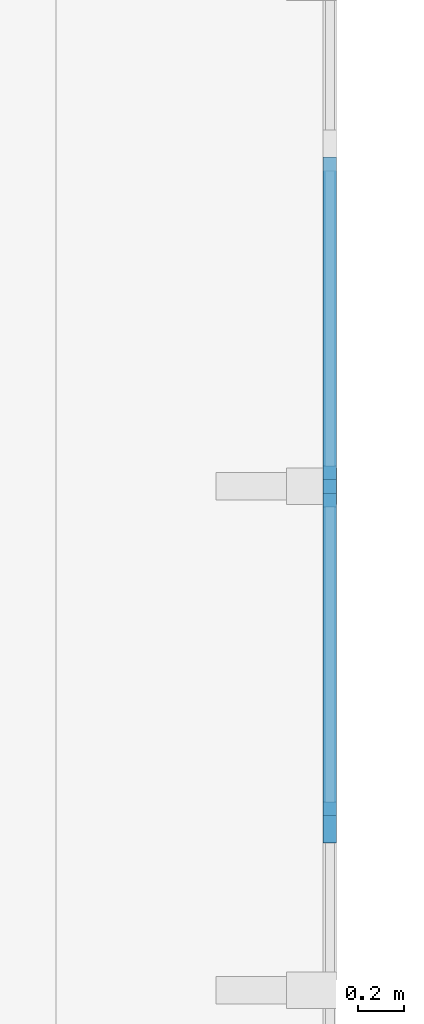
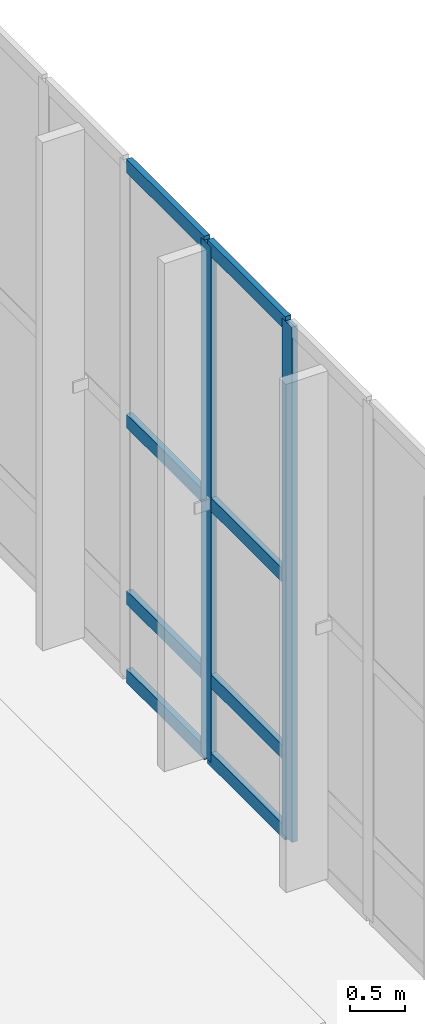
# One storey, part 52 of 110: 10 members, 1 element without a shape of its own.
"""IFC4 building model written with IfcOpenShell, lengths in metres."""

from ifc_helpers import new_model, si_unit, direction, frame, origin, origin_2d, place, context, subcontext, project, spatial, rectangle, extrude, material, material_profile, profile_set, type_object, element, aggregate, save


model = new_model("IFC4")

# Units and contexts
model_context = context("Model", 3, precision=1e-05, world=origin(), true_north=direction((0.0, 1.0)))
body_context = subcontext(model_context, "Body", "Model", "MODEL_VIEW")
ifc_project = project(units=[si_unit("LENGTHUNIT", "METRE"), si_unit("AREAUNIT", "SQUARE_METRE"), si_unit("VOLUMEUNIT", "CUBIC_METRE"), si_unit("PLANEANGLEUNIT", "RADIAN"), si_unit("MASSUNIT", "GRAM", prefix="KILO")], contexts=[model_context])

# Site, building, storey
site_placement = place(None, origin())
site = spatial("IfcSite", under=ifc_project, at=site_placement, CompositionType="ELEMENT")
building_placement = place(site_placement, origin())
building = spatial("IfcBuilding", under=site, at=building_placement, Name="Tizgana Railside Sports Hall", CompositionType="ELEMENT")
storey_placement = place(building_placement, origin())
storey = spatial("IfcBuildingStorey", under=building, at=storey_placement, Name="L00", CompositionType="ELEMENT", Elevation=0.0)

# Curtain wall, members
ifc_material_1 = material(Name="Anodised aluminium and glass", Category="aluminium")
curtain_wall_type = type_object("IfcCurtainWallType", Name="Unitised Curtain Wall WestHall 1560", PredefinedType="NOTDEFINED", material=ifc_material_1)
curtain_wall_placement = place(storey_placement, origin())
curtain_wall = element("IfcCurtainWall", 1, at=curtain_wall_placement, inside=storey, type_object=curtain_wall_type, Name="L00 Curtain Wall CW-0062", PredefinedType="NOTDEFINED")
ifc_material_2 = material(Name="Anodised aluminium", Category="aluminium")
ifc_material_profile_1 = material_profile(ifc_material_2, rectangle(XDim=0.06005859375, YDim=0.179931640625, at=origin_2d()), Name="Mullion 60x180")
ifc_profile_set_1 = profile_set([ifc_material_profile_1], Name="Anodised aluminium")
member_type_1 = type_object("IfcMemberType", Name="Mullion 60x180", PredefinedType="MULLION", material=ifc_profile_set_1)
member_1_placement = place(storey_placement, frame((172.199951171875, 92.126708984375, 0.044921875), z_axis=(0.0, 0.0, 1.0), x_axis=(-1.0, 0.0, 0.0)))
member_1 = element("IfcMember", 2, at=member_1_placement, type_object=member_type_1, Name="CW-07 mullion 3", PredefinedType="MULLION", context=body_context, shape_type="SweptSolid", body=[
    extrude(rectangle(XDim=0.06005859375, YDim=0.179931640625, at=origin_2d()), origin(), (0.0, 0.0, 1.0), 5.715087890625),
])
member_2_placement = place(storey_placement, frame((172.199951171875, 93.60009765625, 0.044921875), z_axis=(0.0, 0.0, 1.0), x_axis=(-1.0, 0.0, 0.0)))
member_2 = element("IfcMember", 3, at=member_2_placement, type_object=member_type_1, Name="CW-07 mullion 4", PredefinedType="MULLION", context=body_context, shape_type="SweptSolid", body=[
    extrude(rectangle(XDim=0.06005859375, YDim=0.179931640625, at=origin_2d()), origin(), (0.0, 0.0, 1.0), 5.715087890625),
])
ifc_material_profile_2 = material_profile(ifc_material_2, rectangle(XDim=0.06005859375, YDim=0.14990234375, at=origin_2d()), Name="Transom 60x150")
ifc_profile_set_2 = profile_set([ifc_material_profile_2], Name="Anodised aluminium")
member_type_2 = type_object("IfcMemberType", Name="Transom 60x150", PredefinedType="USERDEFINED", material=ifc_profile_set_2)
member_3_placement = place(storey_placement, frame((172.199951171875, 92.15673828125, 0.074951171875), z_axis=(0.0, 1.0, 0.0), x_axis=(-1.0, 0.0, 0.0)))
member_3 = element("IfcMember", 4, at=member_3_placement, type_object=member_type_2, Name="CW-07 transom 3.1", ObjectType="TRANSOM", PredefinedType="USERDEFINED", context=body_context, shape_type="SweptSolid", body=[
    extrude(rectangle(XDim=0.06005859375, YDim=0.14990234375, at=origin_2d()), origin(), (0.0, 0.0, 1.0), 1.413330078125),
])
member_4_placement = place(storey_placement, frame((172.199951171875, 92.15673828125, 0.945068359375), z_axis=(0.0, 1.0, 0.0), x_axis=(-1.0, 0.0, 0.0)))
member_4 = element("IfcMember", 5, at=member_4_placement, type_object=member_type_2, Name="CW-07 transom 3.2", ObjectType="TRANSOM", PredefinedType="USERDEFINED", context=body_context, shape_type="SweptSolid", body=[
    extrude(rectangle(XDim=0.06005859375, YDim=0.14990234375, at=origin_2d()), origin(), (0.0, 0.0, 1.0), 1.413330078125),
])
member_5_placement = place(storey_placement, frame((172.199951171875, 92.15673828125, 2.902587890625), z_axis=(0.0, 1.0, 0.0), x_axis=(-1.0, 0.0, 0.0)))
member_5 = element("IfcMember", 6, at=member_5_placement, type_object=member_type_2, Name="CW-07 transom 3.3", ObjectType="TRANSOM", PredefinedType="USERDEFINED", context=body_context, shape_type="SweptSolid", body=[
    extrude(rectangle(XDim=0.06005859375, YDim=0.14990234375, at=origin_2d()), origin(), (0.0, 0.0, 1.0), 1.413330078125),
])
member_6_placement = place(storey_placement, frame((172.199951171875, 92.15673828125, 5.72998046875), z_axis=(0.0, 1.0, 0.0), x_axis=(-1.0, 0.0, 0.0)))
member_6 = element("IfcMember", 7, at=member_6_placement, type_object=member_type_2, Name="CW-07 transom 3.4", ObjectType="TRANSOM", PredefinedType="USERDEFINED", context=body_context, shape_type="SweptSolid", body=[
    extrude(rectangle(XDim=0.06005859375, YDim=0.14990234375, at=origin_2d()), origin(), (0.0, 0.0, 1.0), 1.413330078125),
])
member_7_placement = place(storey_placement, frame((172.199951171875, 93.6298828125, 0.074951171875), z_axis=(0.0, 1.0, 0.0), x_axis=(-1.0, 0.0, 0.0)))
member_7 = element("IfcMember", 8, at=member_7_placement, type_object=member_type_2, Name="CW-07 transom 4.1", ObjectType="TRANSOM", PredefinedType="USERDEFINED", context=body_context, shape_type="SweptSolid", body=[
    extrude(rectangle(XDim=0.06005859375, YDim=0.14990234375, at=origin_2d()), origin(), (0.0, 0.0, 1.0), 1.413330078125),
])
member_8_placement = place(storey_placement, frame((172.199951171875, 93.6298828125, 0.945068359375), z_axis=(0.0, 1.0, 0.0), x_axis=(-1.0, 0.0, 0.0)))
member_8 = element("IfcMember", 9, at=member_8_placement, type_object=member_type_2, Name="CW-07 transom 4.2", ObjectType="TRANSOM", PredefinedType="USERDEFINED", context=body_context, shape_type="SweptSolid", body=[
    extrude(rectangle(XDim=0.06005859375, YDim=0.14990234375, at=origin_2d()), origin(), (0.0, 0.0, 1.0), 1.413330078125),
])
member_9_placement = place(storey_placement, frame((172.199951171875, 93.6298828125, 2.902587890625), z_axis=(0.0, 1.0, 0.0), x_axis=(-1.0, 0.0, 0.0)))
member_9 = element("IfcMember", 10, at=member_9_placement, type_object=member_type_2, Name="CW-07 transom 4.3", ObjectType="TRANSOM", PredefinedType="USERDEFINED", context=body_context, shape_type="SweptSolid", body=[
    extrude(rectangle(XDim=0.06005859375, YDim=0.14990234375, at=origin_2d()), origin(), (0.0, 0.0, 1.0), 1.413330078125),
])
member_10_placement = place(storey_placement, frame((172.199951171875, 93.6298828125, 5.72998046875), z_axis=(0.0, 1.0, 0.0), x_axis=(-1.0, 0.0, 0.0)))
member_10 = element("IfcMember", 11, at=member_10_placement, type_object=member_type_2, Name="CW-07 transom 4.4", ObjectType="TRANSOM", PredefinedType="USERDEFINED", context=body_context, shape_type="SweptSolid", body=[
    extrude(rectangle(XDim=0.06005859375, YDim=0.14990234375, at=origin_2d()), origin(), (0.0, 0.0, 1.0), 1.413330078125),
])
aggregate(curtain_wall, [member_1, member_2, member_3, member_4, member_5, member_6, member_7, member_8, member_9, member_10])

save(model, "model.ifc")
